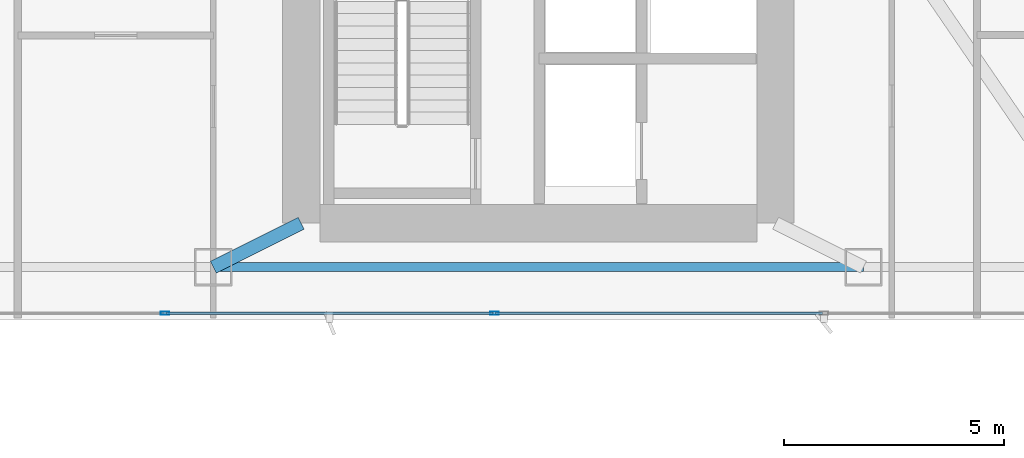
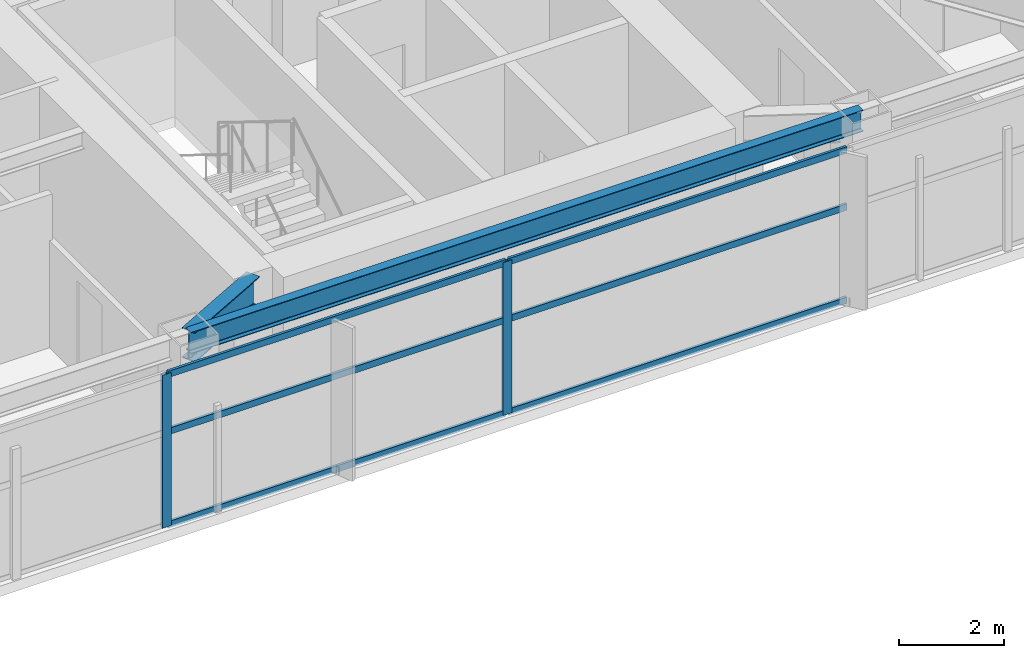
# One storey, part 6 of 28: 8 members, 2 beams, 1 element without a shape of its own.
"""IFC4 building model written with IfcOpenShell, lengths in metres."""

from ifc_helpers import new_model, si_unit, direction, frame, origin, origin_2d, place, context, subcontext, project, spatial, hollow_rectangle, i_section, extrude, material, layer, layer_set, material_profile, profile_set, type_object, element, aggregate, save


model = new_model("IFC4")

# Units and contexts
model_context = context("Model", 3, precision=1e-05, world=origin(), true_north=direction((0.0, 1.0)))
body_context = subcontext(model_context, "Body", "Model", "MODEL_VIEW")
ifc_project = project(units=[si_unit("LENGTHUNIT", "METRE"), si_unit("AREAUNIT", "SQUARE_METRE"), si_unit("VOLUMEUNIT", "CUBIC_METRE"), si_unit("PLANEANGLEUNIT", "RADIAN"), si_unit("MASSUNIT", "GRAM", prefix="KILO")], contexts=[model_context])

# Site, building, storey
site_placement = place(None, origin())
site = spatial("IfcSite", under=ifc_project, at=site_placement, CompositionType="ELEMENT")
building_placement = place(site_placement, origin())
building = spatial("IfcBuilding", under=site, at=building_placement, Name="Calvorn Quay Hotel", CompositionType="ELEMENT")
storey_placement = place(building_placement, frame((0.0, 0.0, 108.800048828125)))
storey = spatial("IfcBuildingStorey", under=building, at=storey_placement, Name="L26", CompositionType="ELEMENT", Elevation=108.800048828125)

# Beams
ifc_material_1 = material(Name="Steel Q390GJC", Category="steel")
ifc_material_profile_1 = material_profile(ifc_material_1, i_section(OverallWidth=0.300048828125, OverallDepth=0.699951171875, WebThickness=0.012939453125, FlangeThickness=0.02392578125, FilletRadius=0.02392578125, at=origin_2d()), Name="HN700x300x13x24")
ifc_profile_set_1 = profile_set([ifc_material_profile_1], Name="Steel Q390GJC")
beam_type_1 = type_object("IfcBeamType", Name="BM-GIRD-MAIN", PredefinedType="BEAM", material=ifc_profile_set_1)
beam_1_placement = place(storey_placement, frame((19.60009765625, 3.60009765625, 3.18994140625), z_axis=(0.894427191, 0.4472135955, 0.0), x_axis=(-0.4472135955, 0.894427191, 0.0)))
element("IfcBeam", 1, at=beam_1_placement, inside=storey, type_object=beam_type_1, Name="Beam BG-L26-S2", PredefinedType="BEAM", context=body_context, shape_type="SweptSolid", body=[
    extrude(i_section(OverallWidth=0.300048828125, OverallDepth=0.699951171875, WebThickness=0.012939453125, FlangeThickness=0.02392578125, FilletRadius=0.02392578125, at=origin_2d()), origin(), (0.0, 0.0, 1.0), 2.236083984375),
])
ifc_material_2 = material(Name="Steel Q355B", Category="steel")
ifc_material_profile_2 = material_profile(ifc_material_2, i_section(OverallWidth=0.199951171875, OverallDepth=0.5, WebThickness=0.010009765625, FlangeThickness=0.01611328125, FilletRadius=0.01611328125, at=origin_2d()), Name="HN500x200x10x16")
ifc_profile_set_2 = profile_set([ifc_material_profile_2], Name="Steel Q355B")
beam_type_2 = type_object("IfcBeamType", Name="BM-SPANDREL-Z1", PredefinedType="SPANDREL", material=ifc_profile_set_2)
beam_2_placement = place(storey_placement, frame((19.60009765625, 3.60009765625, 3.2900390625), z_axis=(1.0, 0.0, 0.0), x_axis=(0.0, 1.0, 0.0)))
element("IfcBeam", 2, at=beam_2_placement, inside=storey, type_object=beam_type_2, Name="Beam BSP-L26-S3", PredefinedType="SPANDREL", context=body_context, shape_type="SweptSolid", body=[
    extrude(i_section(OverallWidth=0.199951171875, OverallDepth=0.5, WebThickness=0.010009765625, FlangeThickness=0.01611328125, FilletRadius=0.01611328125, at=origin_2d()), origin(), (0.0, 0.0, 1.0), 14.7998046875),
])

# Curtain wall, members
ifc_material_3 = material(Name="Pale Anodised Aluminium and Low-E Glass", Category="aluminium")
ifc_layer = layer(ifc_material_3, 0.219970703125)
ifc_layer_set = layer_set([ifc_layer], Name="CW-SYS-Z2")
curtain_wall_type = type_object("IfcCurtainWallType", Name="CW-SYS-Z2", PredefinedType="NOTDEFINED", material=ifc_layer_set)
curtain_wall_placement = place(storey_placement, origin())
curtain_wall = element("IfcCurtainWall", 3, at=curtain_wall_placement, inside=storey, type_object=curtain_wall_type, Name="Tower South Waterfront Curtain Wall (L26)", PredefinedType="NOTDEFINED")
ifc_material_4 = material(Name="Pale Anodised Aluminium 6063-T6", Category="aluminium")
ifc_material_profile_3 = material_profile(ifc_material_4, hollow_rectangle(XDim=0.070068359375, YDim=0.199951171875, WallThickness=0.00390625, at=origin_2d()), Name="ALU-M200x70x4")
ifc_profile_set_3 = profile_set([ifc_material_profile_3], Name="Pale Anodised Aluminium 6063-T6")
member_type_1 = type_object("IfcMemberType", Name="CW-SYS-Z2-MUL", PredefinedType="MULLION", material=ifc_profile_set_3)
member_1_placement = place(storey_placement, frame((18.5, 2.550048828125, 0.0), z_axis=(0.0, 0.0, 1.0), x_axis=(0.0, 1.0, 0.0)))
member_1 = element("IfcMember", 4, at=member_1_placement, type_object=member_type_1, Name="CW-L26-S mullion 2", PredefinedType="MULLION", context=body_context, shape_type="SweptSolid", body=[
    extrude(hollow_rectangle(XDim=0.070068359375, YDim=0.199951171875, WallThickness=0.00390625, at=origin_2d()), origin(), (0.0, 0.0, 1.0), 3.56005859375),
])
member_2_placement = place(storey_placement, frame((26.0, 2.550048828125, 0.0), z_axis=(0.0, 0.0, 1.0), x_axis=(0.0, 1.0, 0.0)))
member_2 = element("IfcMember", 5, at=member_2_placement, type_object=member_type_1, Name="CW-L26-S mullion 3", PredefinedType="MULLION", context=body_context, shape_type="SweptSolid", body=[
    extrude(hollow_rectangle(XDim=0.070068359375, YDim=0.199951171875, WallThickness=0.00390625, at=origin_2d()), origin(), (0.0, 0.0, 1.0), 3.56005859375),
])
ifc_material_5 = material(Name="Pale Anodised Aluminium 6063-T6", Category="aluminium")
ifc_material_profile_4 = material_profile(ifc_material_5, hollow_rectangle(XDim=0.06005859375, YDim=0.14990234375, WallThickness=0.00341796875, at=origin_2d()), Name="ALU-T150x60x3.5")
ifc_profile_set_4 = profile_set([ifc_material_profile_4], Name="Pale Anodised Aluminium 6063-T6")
member_type_2 = type_object("IfcMemberType", Name="CW-SYS-Z2-TRN", PredefinedType="USERDEFINED", material=ifc_profile_set_4)
member_3_placement = place(storey_placement, frame((18.530029296875, 2.550048828125, 0.030029296875), z_axis=(1.0, 0.0, 0.0), x_axis=(0.0, 1.0, 0.0)))
member_3 = element("IfcMember", 6, at=member_3_placement, type_object=member_type_2, Name="CW-L26-S transom 2.1", ObjectType="TRANSOM", PredefinedType="USERDEFINED", context=body_context, shape_type="SweptSolid", body=[
    extrude(hollow_rectangle(XDim=0.06005859375, YDim=0.14990234375, WallThickness=0.00341796875, at=origin_2d()), origin(), (0.0, 0.0, 1.0), 7.43994140625),
])
member_4_placement = place(storey_placement, frame((18.530029296875, 2.550048828125, 2.199951171875), z_axis=(1.0, 0.0, 0.0), x_axis=(0.0, 1.0, 0.0)))
member_4 = element("IfcMember", 7, at=member_4_placement, type_object=member_type_2, Name="CW-L26-S transom 2.2", ObjectType="TRANSOM", PredefinedType="USERDEFINED", context=body_context, shape_type="SweptSolid", body=[
    extrude(hollow_rectangle(XDim=0.06005859375, YDim=0.14990234375, WallThickness=0.00341796875, at=origin_2d()), origin(), (0.0, 0.0, 1.0), 7.43994140625),
])
member_5_placement = place(storey_placement, frame((18.530029296875, 2.550048828125, 3.530029296875), z_axis=(1.0, 0.0, 0.0), x_axis=(0.0, 1.0, 0.0)))
member_5 = element("IfcMember", 8, at=member_5_placement, type_object=member_type_2, Name="CW-L26-S transom 2.3", ObjectType="TRANSOM", PredefinedType="USERDEFINED", context=body_context, shape_type="SweptSolid", body=[
    extrude(hollow_rectangle(XDim=0.06005859375, YDim=0.14990234375, WallThickness=0.00341796875, at=origin_2d()), origin(), (0.0, 0.0, 1.0), 7.43994140625),
])
member_6_placement = place(storey_placement, frame((26.030029296875, 2.550048828125, 0.030029296875), z_axis=(1.0, 0.0, 0.0), x_axis=(0.0, 1.0, 0.0)))
member_6 = element("IfcMember", 9, at=member_6_placement, type_object=member_type_2, Name="CW-L26-S transom 3.1", ObjectType="TRANSOM", PredefinedType="USERDEFINED", context=body_context, shape_type="SweptSolid", body=[
    extrude(hollow_rectangle(XDim=0.06005859375, YDim=0.14990234375, WallThickness=0.00341796875, at=origin_2d()), origin(), (0.0, 0.0, 1.0), 7.43994140625),
])
member_7_placement = place(storey_placement, frame((26.030029296875, 2.550048828125, 2.199951171875), z_axis=(1.0, 0.0, 0.0), x_axis=(0.0, 1.0, 0.0)))
member_7 = element("IfcMember", 10, at=member_7_placement, type_object=member_type_2, Name="CW-L26-S transom 3.2", ObjectType="TRANSOM", PredefinedType="USERDEFINED", context=body_context, shape_type="SweptSolid", body=[
    extrude(hollow_rectangle(XDim=0.06005859375, YDim=0.14990234375, WallThickness=0.00341796875, at=origin_2d()), origin(), (0.0, 0.0, 1.0), 7.43994140625),
])
member_8_placement = place(storey_placement, frame((26.030029296875, 2.550048828125, 3.530029296875), z_axis=(1.0, 0.0, 0.0), x_axis=(0.0, 1.0, 0.0)))
member_8 = element("IfcMember", 11, at=member_8_placement, type_object=member_type_2, Name="CW-L26-S transom 3.3", ObjectType="TRANSOM", PredefinedType="USERDEFINED", context=body_context, shape_type="SweptSolid", body=[
    extrude(hollow_rectangle(XDim=0.06005859375, YDim=0.14990234375, WallThickness=0.00341796875, at=origin_2d()), origin(), (0.0, 0.0, 1.0), 7.43994140625),
])
aggregate(curtain_wall, [member_1, member_2, member_3, member_4, member_5, member_6, member_7, member_8])

save(model, "model.ifc")
